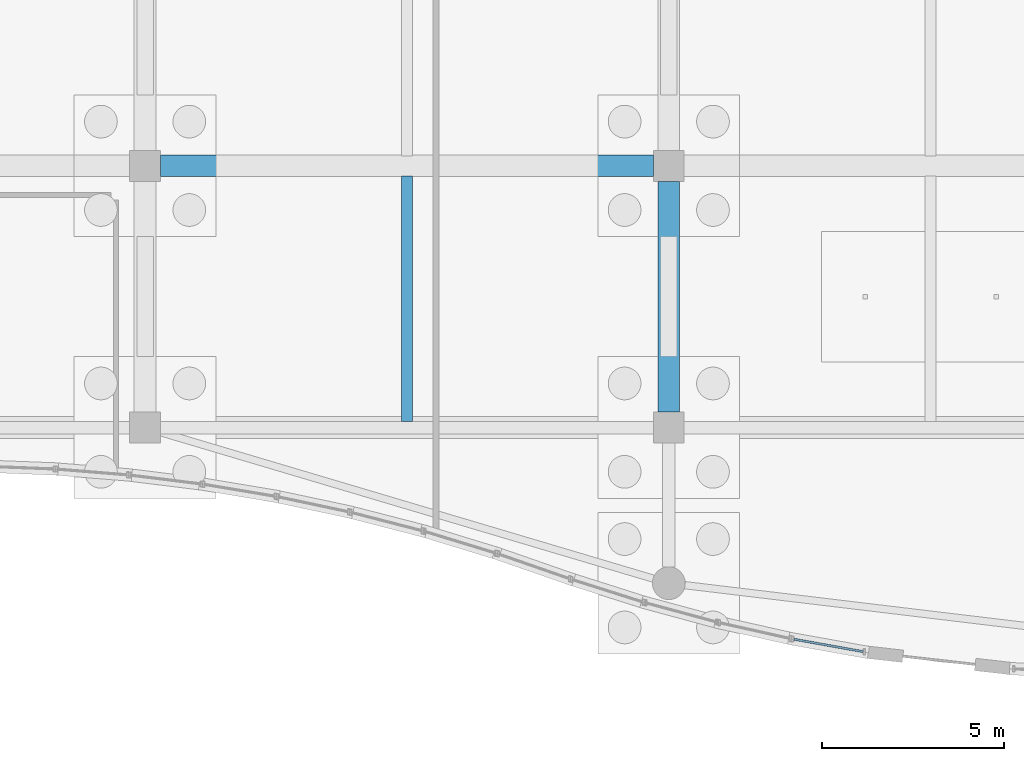
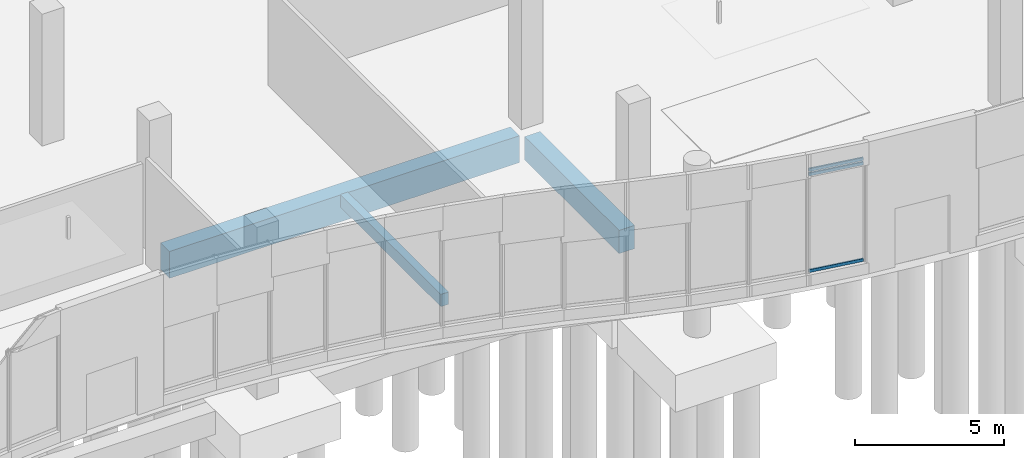
# One storey, part 29 of 192: 3 beams, 3 members, 1 element without a shape of its own.
"""IFC4 building model written with IfcOpenShell, lengths in metres."""

from ifc_helpers import new_model, si_unit, direction, frame, origin, origin_2d, place, context, subcontext, project, spatial, rectangle, hollow_rectangle, extrude, material, material_profile, profile_set, type_object, element, aggregate, save


model = new_model("IFC4")

# Units and contexts
model_context = context("Model", 3, precision=1e-05, world=origin(), true_north=direction((0.0, 1.0)))
body_context = subcontext(model_context, "Body", "Model", "MODEL_VIEW")
ifc_project = project(units=[si_unit("LENGTHUNIT", "METRE"), si_unit("AREAUNIT", "SQUARE_METRE"), si_unit("VOLUMEUNIT", "CUBIC_METRE"), si_unit("PLANEANGLEUNIT", "RADIAN"), si_unit("MASSUNIT", "GRAM", prefix="KILO")], contexts=[model_context])

# Site, building, storey
site_placement = place(None, origin())
site = spatial("IfcSite", under=ifc_project, at=site_placement, CompositionType="ELEMENT")
building_placement = place(site_placement, origin())
building = spatial("IfcBuilding", under=site, at=building_placement, Name="Cendralis Lancet Convention Centre", CompositionType="ELEMENT")
storey_placement = place(building_placement, origin())
storey = spatial("IfcBuildingStorey", under=building, at=storey_placement, Name="L00", CompositionType="ELEMENT", Elevation=0.0)

# Curtain wall, members
ifc_material_1 = material(Name="Anodised bronze architectural aluminium", Category="aluminium")
curtain_wall_type = type_object("IfcCurtainWallType", Name="ARC-CW-WF01", PredefinedType="USERDEFINED", material=ifc_material_1)
curtain_wall_placement = place(storey_placement, origin())
curtain_wall = element("IfcCurtainWall", 1, at=curtain_wall_placement, inside=storey, type_object=curtain_wall_type, Name="L00 Curtain Wall CW-WF1 #022", ObjectType="CURTAIN WALL", PredefinedType="USERDEFINED")
ifc_material_profile_1 = material_profile(ifc_material_1, hollow_rectangle(XDim=0.06005859375, YDim=0.1201171875, WallThickness=0.00390625, at=origin_2d()), Name="AL-TRAN 60x120x4.0")
ifc_profile_set_1 = profile_set([ifc_material_profile_1], Name="Anodised bronze architectural aluminium")
member_type = type_object("IfcMemberType", Name="ARC-CW-TR01", PredefinedType="USERDEFINED", material=ifc_profile_set_1)
member_1_placement = place(storey_placement, frame((46.63916015625, 1.38232421875, 0.510009765625), z_axis=(0.984326200702, -0.176357394546, 0.0), x_axis=(0.176357394546, 0.984326200702, 0.0)))
member_1 = element("IfcMember", 2, at=member_1_placement, type_object=member_type, Name="Transom CW2-CW-WF1-L00-022-T0BOT", ObjectType="TRANSOM", PredefinedType="USERDEFINED", context=body_context, shape_type="SweptSolid", body=[
    extrude(hollow_rectangle(XDim=0.06005859375, YDim=0.1201171875, WallThickness=0.00390625, at=origin_2d()), origin(), (0.0, 0.0, 1.0), 1.93798828125),
])
member_2_placement = place(storey_placement, frame((46.63916015625, 1.38232421875, 4.462890625), z_axis=(0.984326200702, -0.176357394546, 0.0), x_axis=(0.176357394546, 0.984326200702, 0.0)))
member_2 = element("IfcMember", 3, at=member_2_placement, type_object=member_type, Name="Transom CW2-CW-WF1-L00-022-T0MID", ObjectType="TRANSOM", PredefinedType="USERDEFINED", context=body_context, shape_type="SweptSolid", body=[
    extrude(hollow_rectangle(XDim=0.06005859375, YDim=0.1201171875, WallThickness=0.00390625, at=origin_2d()), origin(), (0.0, 0.0, 1.0), 1.93798828125),
])
member_3_placement = place(storey_placement, frame((46.63916015625, 1.38232421875, 4.64501953125), z_axis=(0.984326200702, -0.176357394546, 0.0), x_axis=(0.176357394546, 0.984326200702, 0.0)))
member_3 = element("IfcMember", 4, at=member_3_placement, type_object=member_type, Name="Transom CW2-CW-WF1-L00-022-T0TOP", ObjectType="TRANSOM", PredefinedType="USERDEFINED", context=body_context, shape_type="SweptSolid", body=[
    extrude(hollow_rectangle(XDim=0.06005859375, YDim=0.1201171875, WallThickness=0.00390625, at=origin_2d()), origin(), (0.0, 0.0, 1.0), 1.93798828125),
])
aggregate(curtain_wall, [member_1, member_2, member_3])

# Beams
ifc_material_2 = material(Name="Concrete G40 (C40/50)", Category="concrete")
ifc_material_profile_2 = material_profile(ifc_material_2, rectangle(XDim=0.60009765625, YDim=1.10009765625, at=origin_2d()), Name="RCB 600x1100")
ifc_profile_set_2 = profile_set([ifc_material_profile_2], Name="Concrete G40 (C40/50)")
beam_type_1 = type_object("IfcBeamType", Name="STR-BM-BG02", PredefinedType="BEAM", material=ifc_profile_set_2)
beam_1_placement = place(storey_placement, frame((29.22509765625, 14.39990234375, -0.8701171875), z_axis=(1.0, 0.0, 0.0), x_axis=(0.0, 1.0, 0.0)))
element("IfcBeam", 5, at=beam_1_placement, inside=storey, type_object=beam_type_1, Name="L00 Beam BG02 #0664", PredefinedType="BEAM", context=body_context, shape_type="SweptSolid", body=[
    extrude(rectangle(XDim=0.60009765625, YDim=1.10009765625, at=origin_2d()), origin(), (0.0, 0.0, 1.0), 13.5498046875),
])
ifc_material_profile_3 = material_profile(ifc_material_2, rectangle(XDim=0.60009765625, YDim=0.949951171875, at=origin_2d()), Name="RCB 600x950")
ifc_profile_set_3 = profile_set([ifc_material_profile_3], Name="Concrete G40 (C40/50)")
beam_type_2 = type_object("IfcBeamType", Name="STR-BM-BG04", PredefinedType="BEAM", material=ifc_profile_set_3)
beam_2_placement = place(storey_placement, frame((43.199951171875, 7.625, -0.794921875), z_axis=(0.0, 1.0, 0.0), x_axis=(-1.0, 0.0, 0.0)))
element("IfcBeam", 6, at=beam_2_placement, inside=storey, type_object=beam_type_2, Name="L00 Beam BG04 #0700", PredefinedType="BEAM", context=body_context, shape_type="SweptSolid", body=[
    extrude(rectangle(XDim=0.60009765625, YDim=0.949951171875, at=origin_2d()), origin(), (0.0, 0.0, 1.0), 6.35009765625),
])
ifc_material_3 = material(Name="Concrete G35 (C35/45)", Category="concrete")
ifc_material_profile_4 = material_profile(ifc_material_3, rectangle(XDim=0.300048828125, YDim=0.5, at=origin_2d()), Name="RCB 300x500")
ifc_profile_set_4 = profile_set([ifc_material_profile_4], Name="Concrete G35 (C35/45)")
beam_type_3 = type_object("IfcBeamType", Name="STR-JS-BJ03", PredefinedType="JOIST", material=ifc_profile_set_4)
beam_3_placement = place(storey_placement, frame((36.0, 7.375, -0.570068359375), z_axis=(0.0, 1.0, 0.0), x_axis=(-1.0, 0.0, 0.0)))
element("IfcBeam", 7, at=beam_3_placement, inside=storey, type_object=beam_type_3, Name="L00 Beam BJ03 #0723", PredefinedType="JOIST", context=body_context, shape_type="SweptSolid", body=[
    extrude(rectangle(XDim=0.300048828125, YDim=0.5, at=origin_2d()), origin(), (0.0, 0.0, 1.0), 6.75),
])

save(model, "model.ifc")
